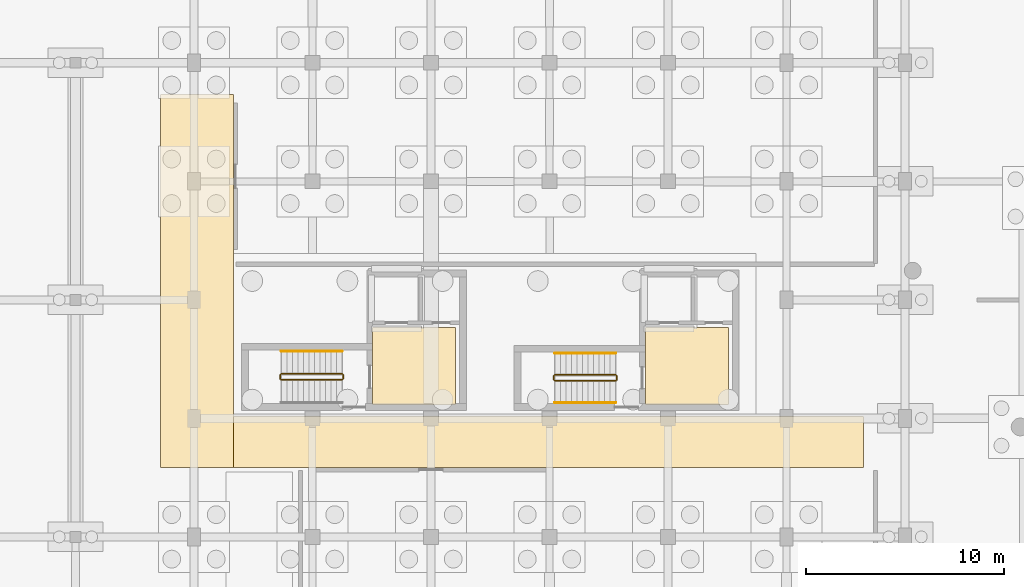
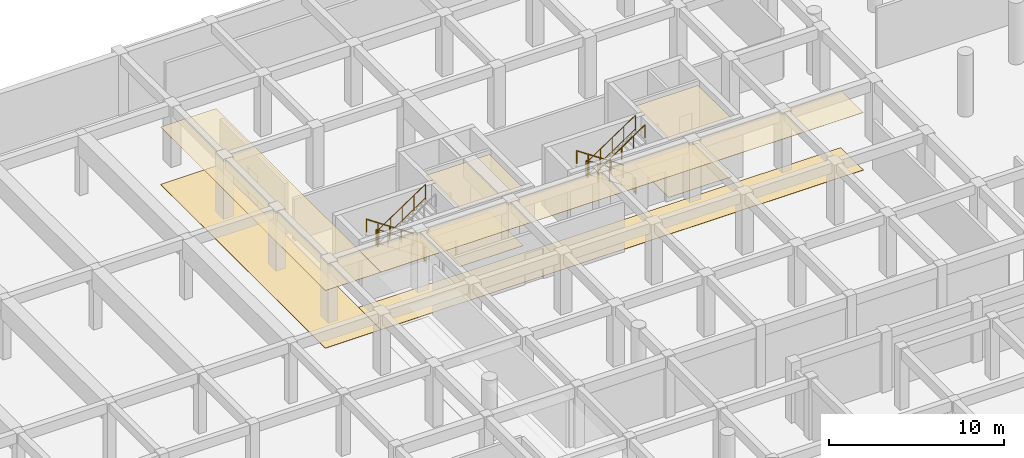
# One storey, part 39 of 41: 11 railings, 8 coverings.
"""IFC4 building model written with IfcOpenShell, lengths in metres."""

import ifcopenshell
import ifcopenshell.guid

model = None  # the IFC model being written
_history = None  # IfcOwnerHistory: only IFC2X3 demands one
_inside = {}  # id of a spatial element -> (the spatial element, [elements in it])
_under = {}  # id of a project, library or spatial element -> (it, [spatial elements below it])
_declared = {}  # id of a project -> (the project, [libraries it declares])
_typed = {}  # id of a type object -> (the type object, [elements of that type])
_made_of = {}  # id of a material, layer set ... -> (it, [elements and type objects made of it])


def new_model(schema):
    """Start an empty IFC model of exactly this schema.

    Asked for "IFC4X3", IfcOpenShell would pick the latest addendum, in which some entities
    have other attributes; the version numbers below select the first issue.
    IFC2X3 requires an IfcOwnerHistory on every rooted entity: one is made here for all.
    """
    global model, _history
    if schema == "IFC4X3":
        model = ifcopenshell.file(schema_version=(4, 3, 0, 0))
    else:
        model = ifcopenshell.file(schema=schema)
    _inside.clear()
    _under.clear()
    _declared.clear()
    _typed.clear()
    _made_of.clear()
    _history = None
    if model.schema == "IFC2X3":
        org = make("IfcOrganization", Name="unknown")
        user = make(
            "IfcPersonAndOrganization",
            ThePerson=make("IfcPerson", FamilyName="unknown"),
            TheOrganization=org,
        )
        app = make(
            "IfcApplication",
            ApplicationDeveloper=org,
            Version="unknown",
            ApplicationFullName="unknown",
            ApplicationIdentifier="unknown",
        )
        _history = make(
            "IfcOwnerHistory",
            OwningUser=user,
            OwningApplication=app,
            ChangeAction="ADDED",
            CreationDate=0,
        )
    return model


def make(cls, **values):
    """One entity of the class cls with the attributes given. An attribute that is None is left unset."""
    return model.create_entity(
        cls, **{name: value for name, value in values.items() if value is not None}
    )


def rooted(cls, **values):
    """An entity with a GlobalId (a new one), such as an element, a storey or a relation."""
    return make(cls, GlobalId=ifcopenshell.guid.new(), OwnerHistory=_history, **values)


def si_unit(unit_type, name, prefix=None):
    """IfcSIUnit, for example si_unit("LENGTHUNIT", "METRE", prefix="MILLI")."""
    return make("IfcSIUnit", UnitType=unit_type, Prefix=prefix, Name=name)


def assignment(units):
    """IfcUnitAssignment: the units of a project."""
    return None if units is None else make("IfcUnitAssignment", Units=units)


def point(xyz):
    """IfcCartesianPoint."""
    return None if xyz is None else make("IfcCartesianPoint", Coordinates=xyz)


def direction(xyz):
    """IfcDirection."""
    return None if xyz is None else make("IfcDirection", DirectionRatios=xyz)


def frame(location, z_axis=None, x_axis=None):
    """IfcAxis2Placement3D, a coordinate frame: its origin and axes. An axis left out is left unset."""
    return make(
        "IfcAxis2Placement3D",
        Location=point(location),
        Axis=direction(z_axis),
        RefDirection=direction(x_axis),
    )


def frame_2d(location, x_axis=None):
    """IfcAxis2Placement2D, a coordinate frame in the plane: its origin and x axis."""
    return make(
        "IfcAxis2Placement2D", Location=point(location), RefDirection=direction(x_axis)
    )


def origin():
    """The frame at (0, 0, 0) with its axes left unset."""
    return frame((0.0, 0.0, 0.0))


def origin_2d():
    """The frame at (0, 0) in the plane with its x axis left unset."""
    return frame_2d((0.0, 0.0))


def place(relative_to, where):
    """IfcLocalPlacement: puts the frame where relative to a parent placement (None: the world)."""
    return make(
        "IfcLocalPlacement", PlacementRelTo=relative_to, RelativePlacement=where
    )


def context(
    kind, dimensions, precision=None, world=None, true_north=None, identifier=None
):
    """IfcGeometricRepresentationContext, for example the 3D "Model" context."""
    return make(
        "IfcGeometricRepresentationContext",
        ContextIdentifier=identifier,
        ContextType=kind,
        CoordinateSpaceDimension=dimensions,
        Precision=precision,
        WorldCoordinateSystem=world,
        TrueNorth=true_north,
    )


def subcontext(parent, identifier, kind, view, scale=None):
    """IfcGeometricRepresentationSubContext, for example "Body" below "Model"."""
    return make(
        "IfcGeometricRepresentationSubContext",
        ContextIdentifier=identifier,
        ContextType=kind,
        ParentContext=parent,
        TargetScale=scale,
        TargetView=view,
    )


def project(units=None, contexts=None):
    """IfcProject with its units and contexts."""
    return rooted(
        "IfcProject",
        Name="project",
        RepresentationContexts=contexts,
        UnitsInContext=assignment(units),
    )


def spatial(cls, under=None, at=None, **own):
    """A site, building, storey or space (cls), placed at a placement, below another one or the project."""
    s = rooted(cls, ObjectPlacement=at, **own)
    if under is not None:
        _under.setdefault(under.id(), (under, []))[1].append(s)
    return s


def polyline(points):
    """IfcPolyline through the points."""
    return make("IfcPolyline", Points=[point(p) for p in points])


def profile(cls, at=None, kind="AREA", **sizes):
    """A parametric profile (cls). Its sizes go by their IFC names, for example OverallWidth=200.0."""
    return make(cls, ProfileType=kind, Position=at, **sizes)


def circle(**sizes):
    """IfcCircleProfileDef."""
    return profile("IfcCircleProfileDef", **sizes)


def outline(outer, holes=None, kind="AREA"):
    """IfcArbitraryClosedProfileDef: a profile drawn as a closed curve; with holes, ...WithVoids."""
    if holes is None:
        return make("IfcArbitraryClosedProfileDef", ProfileType=kind, OuterCurve=outer)
    return make(
        "IfcArbitraryProfileDefWithVoids",
        ProfileType=kind,
        OuterCurve=outer,
        InnerCurves=holes,
    )


def extrude(swept, where, along, depth):
    """IfcExtrudedAreaSolid: the profile swept, set in the frame where, extruded along a direction by depth."""
    return make(
        "IfcExtrudedAreaSolid",
        SweptArea=swept,
        Position=where,
        ExtrudedDirection=direction(along),
        Depth=depth,
    )


def shape(context_of_items, identifier, shape_type, items):
    """IfcShapeRepresentation: the items that make up one representation, for example the "Body"."""
    return make(
        "IfcShapeRepresentation",
        ContextOfItems=context_of_items,
        RepresentationIdentifier=identifier,
        RepresentationType=shape_type,
        Items=items,
    )


def material(Name=None, Category=None):
    """IfcMaterial."""
    return make("IfcMaterial", Name=Name, Category=Category)


def layer(
    of_material, thickness, ventilated=None, Name=None, Category=None, Priority=None
):
    """IfcMaterialLayer: one layer of a wall or slab, of a material (None: an air gap)."""
    return make(
        "IfcMaterialLayer",
        Material=of_material,
        LayerThickness=thickness,
        IsVentilated=ventilated,
        Name=Name,
        Category=Category,
        Priority=Priority,
    )


def layer_set(layers, Name=None):
    """IfcMaterialLayerSet."""
    return make("IfcMaterialLayerSet", MaterialLayers=layers, LayerSetName=Name)


def made_of(thing, what):
    """Note that an element or type object is made of a material, layer set ...; save() writes the relation."""
    if what is not None:
        _made_of.setdefault(what.id(), (what, []))[1].append(thing)
    return thing


def type_object(cls, material=None, **own):
    """A type object (cls), such as IfcWallType, which elements share."""
    return made_of(rooted(cls, **own), material)


def element(
    cls,
    number,
    at=None,
    inside=None,
    cuts=None,
    type_object=None,
    material=None,
    context=None,
    identifier="Body",
    shape_type=None,
    held_by="IfcProductDefinitionShape",
    body=None,
    shapes=None,
    **own,
):
    """One element of the class cls, such as IfcWall. Its Tag is "e" and its number.

    at: its placement. inside: the storey or other place that contains it. cuts: it is an
    opening in that element (IfcRelVoidsElement). A single representation is given by context,
    identifier, shape_type and body (its items); several are given by shapes. held_by: the class
    of the entity that holds the representations. save() writes the other relations.
    """
    e = rooted(cls, Tag="e%d" % number, ObjectPlacement=at, **own)
    if body is not None:
        shapes = [shape(context, identifier, shape_type, body)]
    if shapes is not None:
        e.Representation = make(held_by, Representations=shapes)
    if inside is not None:
        _inside.setdefault(inside.id(), (inside, []))[1].append(e)
    if cuts is not None:
        rooted(
            "IfcRelVoidsElement", RelatingBuildingElement=cuts, RelatedOpeningElement=e
        )
    if type_object is not None:
        _typed.setdefault(type_object.id(), (type_object, []))[1].append(e)
    return made_of(e, material)


def aggregate(whole, parts):
    """IfcRelAggregates: a whole, such as a stair, and the parts it consists of."""
    return rooted("IfcRelAggregates", RelatingObject=whole, RelatedObjects=parts)


def save(model, path):
    """Write the relations noted so far, then the file.

    IfcRelAggregates (storeys below a building ...), IfcRelContainedInSpatialStructure (elements
    in a storey), IfcRelDefinesByType, IfcRelAssociatesMaterial and IfcRelDeclares: one each for
    every whole, place, type object, material and project.
    """
    for whole, parts in _under.values():
        aggregate(whole, parts)
    for where, things in _inside.values():
        rooted(
            "IfcRelContainedInSpatialStructure",
            RelatedElements=things,
            RelatingStructure=where,
        )
    for kind, things in _typed.values():
        rooted("IfcRelDefinesByType", RelatedObjects=things, RelatingType=kind)
    for what, things in _made_of.values():
        rooted("IfcRelAssociatesMaterial", RelatedObjects=things, RelatingMaterial=what)
    for by, libraries in _declared.values():
        rooted("IfcRelDeclares", RelatingContext=by, RelatedDefinitions=libraries)
    model.write(path)


model = new_model("IFC4")

# Units and contexts
model_context = context("Model", 3, precision=1e-05, world=origin(), true_north=direction((0.0, 1.0)))
body_context = subcontext(model_context, "Body", "Model", "MODEL_VIEW")
ifc_project = project(units=[si_unit("LENGTHUNIT", "METRE"), si_unit("AREAUNIT", "SQUARE_METRE"), si_unit("VOLUMEUNIT", "CUBIC_METRE"), si_unit("PLANEANGLEUNIT", "RADIAN"), si_unit("MASSUNIT", "GRAM", prefix="KILO"), si_unit("POWERUNIT", "WATT"), si_unit("THERMODYNAMICTEMPERATUREUNIT", "KELVIN")], contexts=[model_context])

# Site, building, storey
site_placement = place(None, origin())
site = spatial("IfcSite", under=ifc_project, at=site_placement, CompositionType="ELEMENT")
building_placement = place(site_placement, origin())
building = spatial("IfcBuilding", under=site, at=building_placement, Name="Ruvembo Vaulted Housing Court", CompositionType="ELEMENT")
storey_placement = place(building_placement, frame((0.0, 0.0, -4.5)))
storey = spatial("IfcBuildingStorey", under=building, at=storey_placement, Name="B1", CompositionType="ELEMENT", Elevation=-4.5)

# Coverings
ifc_material_1 = material(Name="Perforated Mineral-Fibre Acoustic Tile", Category="gypsum")
ifc_layer_1 = layer(ifc_material_1, 0.02001953125, Name="Perforated Mineral-Fibre Acoustic Tile")
ifc_layer_set_1 = layer_set([ifc_layer_1], Name="Perforated Mineral-Fibre Acoustic Tile")
covering_type_1 = type_object("IfcCoveringType", Name="COV-CEIL-ACOUST", PredefinedType="CEILING", material=ifc_layer_set_1)
covering_1_placement = place(storey_placement, frame((0.0, 0.0, 4.02001953125)))
element("IfcCovering", 1, at=covering_1_placement, inside=storey, type_object=covering_type_1, Name="Protected Core Lobby B1 Ceiling", PredefinedType="CEILING", context=body_context, shape_type="SweptSolid", body=[
    extrude(outline(polyline([(61.25, 94.60009765625), (57.050048828125, 94.60009765625), (57.050048828125, 90.699951171875), (61.25, 90.699951171875), (61.25, 94.60009765625)])), origin(), (0.0, 0.0, 1.0), 0.02001953125),
])
covering_2_placement = place(storey_placement, frame((0.0, 0.0, 4.02001953125)))
element("IfcCovering", 2, at=covering_2_placement, inside=storey, type_object=covering_type_1, Name="Protected Core Lobby B2 Ceiling", PredefinedType="CEILING", context=body_context, shape_type="SweptSolid", body=[
    extrude(outline(polyline([(75.050048828125, 94.60009765625), (70.85009765625, 94.60009765625), (70.85009765625, 90.699951171875), (75.050048828125, 90.699951171875), (75.050048828125, 94.60009765625)])), origin(), (0.0, 0.0, 1.0), 0.02001953125),
])
covering_3_placement = place(storey_placement, frame((0.0, 0.0, 4.02001953125)))
element("IfcCovering", 3, at=covering_3_placement, inside=storey, type_object=covering_type_1, Name="Basement Block B Core Corridor Ceiling", PredefinedType="CEILING", context=body_context, shape_type="SweptSolid", body=[
    extrude(outline(polyline([(46.31005859375, 87.510009765625), (81.889892578125, 87.510009765625), (81.889892578125, 90.090087890625), (46.31005859375, 90.090087890625), (46.31005859375, 87.510009765625)])), origin(), (0.0, 0.0, 1.0), 0.02001953125),
])
covering_4_placement = place(storey_placement, frame((0.0, 0.0, 4.02001953125)))
element("IfcCovering", 4, at=covering_4_placement, inside=storey, type_object=covering_type_1, Name="Basement Block B North Plant Passage Ceiling", PredefinedType="CEILING", context=body_context, shape_type="SweptSolid", body=[
    extrude(outline(polyline([(49.989990234375, 87.510009765625), (49.989990234375, 106.389892578125), (46.31005859375, 106.389892578125), (46.31005859375, 87.510009765625), (49.989990234375, 87.510009765625)])), origin(), (0.0, 0.0, 1.0), 0.02001953125),
])
ifc_material_2 = material(Name="Polished Cement-Aggregate Terrazzo", Category="stone")
ifc_layer_2 = layer(ifc_material_2, 0.02197265625, Name="Polished Cement-Aggregate Terrazzo")
ifc_layer_set_2 = layer_set([ifc_layer_2], Name="Polished Cement-Aggregate Terrazzo")
covering_type_2 = type_object("IfcCoveringType", Name="COV-FLR-CERAMIC", PredefinedType="FLOORING", material=ifc_layer_set_2)
covering_5_placement = place(storey_placement, origin())
element("IfcCovering", 5, at=covering_5_placement, inside=storey, type_object=covering_type_2, Name="Protected Core Lobby B1 Flooring", PredefinedType="FLOORING", context=body_context, shape_type="SweptSolid", body=[
    extrude(outline(polyline([(61.25, 94.60009765625), (57.050048828125, 94.60009765625), (57.050048828125, 90.699951171875), (61.25, 90.699951171875), (61.25, 94.60009765625)])), origin(), (0.0, 0.0, 1.0), 0.02197265625),
])
covering_6_placement = place(storey_placement, origin())
element("IfcCovering", 6, at=covering_6_placement, inside=storey, type_object=covering_type_2, Name="Protected Core Lobby B2 Flooring", PredefinedType="FLOORING", context=body_context, shape_type="SweptSolid", body=[
    extrude(outline(polyline([(75.050048828125, 94.60009765625), (70.85009765625, 94.60009765625), (70.85009765625, 90.699951171875), (75.050048828125, 90.699951171875), (75.050048828125, 94.60009765625)])), origin(), (0.0, 0.0, 1.0), 0.02197265625),
])
covering_7_placement = place(storey_placement, origin())
element("IfcCovering", 7, at=covering_7_placement, inside=storey, type_object=covering_type_2, Name="Basement Block B Core Corridor Flooring", PredefinedType="FLOORING", context=body_context, shape_type="SweptSolid", body=[
    extrude(outline(polyline([(46.31005859375, 87.510009765625), (81.889892578125, 87.510009765625), (81.889892578125, 90.090087890625), (46.31005859375, 90.090087890625), (46.31005859375, 87.510009765625)])), origin(), (0.0, 0.0, 1.0), 0.02197265625),
])
covering_8_placement = place(storey_placement, origin())
element("IfcCovering", 8, at=covering_8_placement, inside=storey, type_object=covering_type_2, Name="Basement Block B North Plant Passage Flooring", PredefinedType="FLOORING", context=body_context, shape_type="SweptSolid", body=[
    extrude(outline(polyline([(49.989990234375, 87.510009765625), (49.989990234375, 106.389892578125), (46.31005859375, 106.389892578125), (46.31005859375, 87.510009765625), (49.989990234375, 87.510009765625)])), origin(), (0.0, 0.0, 1.0), 0.02197265625),
])

# Railings
ifc_material_3 = material(Name="Painted Galvanised Steel S275", Category="steel")
ifc_layer_3 = layer(ifc_material_3, 0.06005859375, Name="Painted Galvanised Steel S275")
ifc_layer_set_3 = layer_set([ifc_layer_3], Name="Painted Galvanised Steel S275")
railing_type_1 = type_object("IfcRailingType", Name="RL-STAIR-GR1100", PredefinedType="GUARDRAIL", material=ifc_layer_set_3)
railing_1_placement = place(storey_placement, frame((55.5, 92.25, 0.1875)))
element("IfcRailing", 9, at=railing_1_placement, inside=storey, type_object=railing_type_1, Name="B1 ST-B1 stair guard 1", PredefinedType="GUARDRAIL", context=body_context, shape_type="SweptSolid", body=[
    extrude(circle(Radius=0.02392578125, at=origin_2d()), frame((0.0, 0.0, 1.076171875), z_axis=(-0.830913701846, 0.0, 0.55640131208), x_axis=(0.0, -1.0, 0.0)), (0.0, 0.0, 1.0), 3.706787109375),
    extrude(circle(Radius=0.01806640625, at=origin_2d()), frame((0.0, 0.0, 0.1201171875), z_axis=(-0.830913701846, 0.0, 0.55640131208), x_axis=(0.0, -1.0, 0.0)), (0.0, 0.0, 1.0), 3.706787109375),
    extrude(circle(Radius=0.02099609375, at=origin_2d()), origin(), (0.0, 0.0, 1.0), 1.052001953125),
    extrude(circle(Radius=0.02099609375, at=origin_2d()), frame((-0.77001953125, 0.0, 0.515625)), (0.0, 0.0, 1.0), 1.052001953125),
    extrude(circle(Radius=0.02099609375, at=origin_2d()), frame((-1.5400390625, 0.0, 1.03125)), (0.0, 0.0, 1.0), 1.052001953125),
    extrude(circle(Radius=0.02099609375, at=origin_2d()), frame((-2.31005859375, 0.0, 1.546875)), (0.0, 0.0, 1.0), 1.052001953125),
    extrude(circle(Radius=0.02099609375, at=origin_2d()), frame((-3.080078125, 0.0, 2.0625)), (0.0, 0.0, 1.0), 1.052001953125),
])
railing_2_placement = place(storey_placement, frame((52.3701171875, 92.199951171875, 2.25)))
element("IfcRailing", 10, at=railing_2_placement, inside=storey, type_object=railing_type_1, Name="B1 ST-B1 stair guard 2", PredefinedType="GUARDRAIL", context=body_context, shape_type="SweptSolid", body=[
    extrude(circle(Radius=0.02392578125, at=origin_2d()), frame((0.0, 0.0, 1.076171875), z_axis=(0.0, -1.0, 0.0), x_axis=(1.0, 0.0, 0.0)), (0.0, 0.0, 1.0), 0.199951171875),
    extrude(circle(Radius=0.01806640625, at=origin_2d()), frame((0.0, 0.0, 0.1201171875), z_axis=(0.0, -1.0, 0.0), x_axis=(1.0, 0.0, 0.0)), (0.0, 0.0, 1.0), 0.199951171875),
    extrude(circle(Radius=0.02099609375, at=origin_2d()), origin(), (0.0, 0.0, 1.0), 1.052001953125),
    extrude(circle(Radius=0.02099609375, at=origin_2d()), frame((0.0, -0.199951171875, 0.0)), (0.0, 0.0, 1.0), 1.052001953125),
])
railing_3_placement = place(storey_placement, frame((52.419921875, 91.949951171875, 2.4375)))
element("IfcRailing", 11, at=railing_3_placement, inside=storey, type_object=railing_type_1, Name="B1 ST-B1 stair guard 3", PredefinedType="GUARDRAIL", context=body_context, shape_type="SweptSolid", body=[
    extrude(circle(Radius=0.02392578125, at=origin_2d()), frame((0.0, 0.0, 1.076171875), z_axis=(0.830913701846, 0.0, 0.55640131208), x_axis=(0.0, 1.0, 0.0)), (0.0, 0.0, 1.0), 3.706787109375),
    extrude(circle(Radius=0.01806640625, at=origin_2d()), frame((0.0, 0.0, 0.1201171875), z_axis=(0.830913701846, 0.0, 0.55640131208), x_axis=(0.0, 1.0, 0.0)), (0.0, 0.0, 1.0), 3.706787109375),
    extrude(circle(Radius=0.02099609375, at=origin_2d()), origin(), (0.0, 0.0, 1.0), 1.052001953125),
    extrude(circle(Radius=0.02099609375, at=origin_2d()), frame((0.77001953125, 0.0, 0.515625)), (0.0, 0.0, 1.0), 1.052001953125),
    extrude(circle(Radius=0.02099609375, at=origin_2d()), frame((1.5400390625, 0.0, 1.03125)), (0.0, 0.0, 1.0), 1.052001953125),
    extrude(circle(Radius=0.02099609375, at=origin_2d()), frame((2.31005859375, 0.0, 1.546875)), (0.0, 0.0, 1.0), 1.052001953125),
    extrude(circle(Radius=0.02099609375, at=origin_2d()), frame((3.080078125, 0.0, 2.0625)), (0.0, 0.0, 1.0), 1.052001953125),
])
railing_4_placement = place(storey_placement, frame((55.550048828125, 92.199951171875, 0.0)))
element("IfcRailing", 12, at=railing_4_placement, inside=storey, type_object=railing_type_1, Name="B1 ST-B1 stair guard 4", PredefinedType="GUARDRAIL", context=body_context, shape_type="SweptSolid", body=[
    extrude(circle(Radius=0.02392578125, at=origin_2d()), frame((0.0, 0.0, 1.076171875), z_axis=(0.0, -1.0, 0.0), x_axis=(1.0, 0.0, 0.0)), (0.0, 0.0, 1.0), 0.199951171875),
    extrude(circle(Radius=0.01806640625, at=origin_2d()), frame((0.0, 0.0, 0.1201171875), z_axis=(0.0, -1.0, 0.0), x_axis=(1.0, 0.0, 0.0)), (0.0, 0.0, 1.0), 0.199951171875),
    extrude(circle(Radius=0.02099609375, at=origin_2d()), origin(), (0.0, 0.0, 1.0), 1.052001953125),
    extrude(circle(Radius=0.02099609375, at=origin_2d()), frame((0.0, -0.199951171875, 0.0)), (0.0, 0.0, 1.0), 1.052001953125),
])
railing_5_placement = place(storey_placement, frame((69.35009765625, 92.199951171875, 0.1875)))
element("IfcRailing", 13, at=railing_5_placement, inside=storey, type_object=railing_type_1, Name="B1 ST-B2 stair guard 1", PredefinedType="GUARDRAIL", context=body_context, shape_type="SweptSolid", body=[
    extrude(circle(Radius=0.02392578125, at=origin_2d()), frame((0.0, 0.0, 1.076171875), z_axis=(-0.830913701846, 0.0, 0.55640131208), x_axis=(0.0, -1.0, 0.0)), (0.0, 0.0, 1.0), 3.706787109375),
    extrude(circle(Radius=0.01806640625, at=origin_2d()), frame((0.0, 0.0, 0.1201171875), z_axis=(-0.830913701846, 0.0, 0.55640131208), x_axis=(0.0, -1.0, 0.0)), (0.0, 0.0, 1.0), 3.706787109375),
    extrude(circle(Radius=0.02099609375, at=origin_2d()), origin(), (0.0, 0.0, 1.0), 1.052001953125),
    extrude(circle(Radius=0.02099609375, at=origin_2d()), frame((-0.77001953125, 0.0, 0.515625)), (0.0, 0.0, 1.0), 1.052001953125),
    extrude(circle(Radius=0.02099609375, at=origin_2d()), frame((-1.5400390625, 0.0, 1.03125)), (0.0, 0.0, 1.0), 1.052001953125),
    extrude(circle(Radius=0.02099609375, at=origin_2d()), frame((-2.31005859375, 0.0, 1.546875)), (0.0, 0.0, 1.0), 1.052001953125),
    extrude(circle(Radius=0.02099609375, at=origin_2d()), frame((-3.080078125, 0.0, 2.0625)), (0.0, 0.0, 1.0), 1.052001953125),
])
railing_6_placement = place(storey_placement, frame((66.219970703125, 92.14990234375, 2.25)))
element("IfcRailing", 14, at=railing_6_placement, inside=storey, type_object=railing_type_1, Name="B1 ST-B2 stair guard 2", PredefinedType="GUARDRAIL", context=body_context, shape_type="SweptSolid", body=[
    extrude(circle(Radius=0.02392578125, at=origin_2d()), frame((0.0, 0.0, 1.076171875), z_axis=(0.0, -1.0, 0.0), x_axis=(1.0, 0.0, 0.0)), (0.0, 0.0, 1.0), 0.199951171875),
    extrude(circle(Radius=0.01806640625, at=origin_2d()), frame((0.0, 0.0, 0.1201171875), z_axis=(0.0, -1.0, 0.0), x_axis=(1.0, 0.0, 0.0)), (0.0, 0.0, 1.0), 0.199951171875),
    extrude(circle(Radius=0.02099609375, at=origin_2d()), origin(), (0.0, 0.0, 1.0), 1.052001953125),
    extrude(circle(Radius=0.02099609375, at=origin_2d()), frame((0.0, -0.199951171875, 0.0)), (0.0, 0.0, 1.0), 1.052001953125),
])
railing_7_placement = place(storey_placement, frame((66.27001953125, 91.89990234375, 2.4375)))
element("IfcRailing", 15, at=railing_7_placement, inside=storey, type_object=railing_type_1, Name="B1 ST-B2 stair guard 3", PredefinedType="GUARDRAIL", context=body_context, shape_type="SweptSolid", body=[
    extrude(circle(Radius=0.02392578125, at=origin_2d()), frame((0.0, 0.0, 1.076171875), z_axis=(0.830913701846, 0.0, 0.55640131208), x_axis=(0.0, 1.0, 0.0)), (0.0, 0.0, 1.0), 3.706787109375),
    extrude(circle(Radius=0.01806640625, at=origin_2d()), frame((0.0, 0.0, 0.1201171875), z_axis=(0.830913701846, 0.0, 0.55640131208), x_axis=(0.0, 1.0, 0.0)), (0.0, 0.0, 1.0), 3.706787109375),
    extrude(circle(Radius=0.02099609375, at=origin_2d()), origin(), (0.0, 0.0, 1.0), 1.052001953125),
    extrude(circle(Radius=0.02099609375, at=origin_2d()), frame((0.77001953125, 0.0, 0.515625)), (0.0, 0.0, 1.0), 1.052001953125),
    extrude(circle(Radius=0.02099609375, at=origin_2d()), frame((1.5400390625, 0.0, 1.03125)), (0.0, 0.0, 1.0), 1.052001953125),
    extrude(circle(Radius=0.02099609375, at=origin_2d()), frame((2.31005859375, 0.0, 1.546875)), (0.0, 0.0, 1.0), 1.052001953125),
    extrude(circle(Radius=0.02099609375, at=origin_2d()), frame((3.080078125, 0.0, 2.0625)), (0.0, 0.0, 1.0), 1.052001953125),
])
railing_8_placement = place(storey_placement, frame((69.39990234375, 92.14990234375, 0.0)))
element("IfcRailing", 16, at=railing_8_placement, inside=storey, type_object=railing_type_1, Name="B1 ST-B2 stair guard 4", PredefinedType="GUARDRAIL", context=body_context, shape_type="SweptSolid", body=[
    extrude(circle(Radius=0.02392578125, at=origin_2d()), frame((0.0, 0.0, 1.076171875), z_axis=(0.0, -1.0, 0.0), x_axis=(1.0, 0.0, 0.0)), (0.0, 0.0, 1.0), 0.199951171875),
    extrude(circle(Radius=0.01806640625, at=origin_2d()), frame((0.0, 0.0, 0.1201171875), z_axis=(0.0, -1.0, 0.0), x_axis=(1.0, 0.0, 0.0)), (0.0, 0.0, 1.0), 0.199951171875),
    extrude(circle(Radius=0.02099609375, at=origin_2d()), origin(), (0.0, 0.0, 1.0), 1.052001953125),
    extrude(circle(Radius=0.02099609375, at=origin_2d()), frame((0.0, -0.199951171875, 0.0)), (0.0, 0.0, 1.0), 1.052001953125),
])
ifc_material_4 = material(Name="Brushed Stainless Steel 304", Category="steel")
ifc_layer_4 = layer(ifc_material_4, 0.050048828125, Name="Brushed Stainless Steel 304")
ifc_layer_set_4 = layer_set([ifc_layer_4], Name="Brushed Stainless Steel 304")
railing_type_2 = type_object("IfcRailingType", Name="RL-STAIR-HR920", PredefinedType="HANDRAIL", material=ifc_layer_set_4)
for number, where, name in (
    (17, (55.5, 93.39990234375, 0.379150390625), "B1 ST-B1 stair handrail 1"),
    (18, (69.35009765625, 93.300048828125, 0.379150390625), "B1 ST-B2 stair handrail 1"),
):
    element("IfcRailing", number, at=place(storey_placement, frame(where)), inside=storey, type_object=railing_type_2, Name=name, PredefinedType="HANDRAIL", context=body_context, shape_type="SweptSolid", body=[
        extrude(circle(Radius=0.02392578125, at=origin_2d()), frame((0.0, 0.0, 0.8759765625), z_axis=(-0.830913701846, 0.0, 0.55640131208), x_axis=(0.0, -1.0, 0.0)), (0.0, 0.0, 1.0), 3.706787109375),
        extrude(circle(Radius=0.02099609375, at=origin_2d()), origin(), (0.0, 0.0, 1.0), 0.851806640625),
        extrude(circle(Radius=0.02099609375, at=origin_2d()), frame((-0.77001953125, 0.0, 0.515625)), (0.0, 0.0, 1.0), 0.851806640625),
        extrude(circle(Radius=0.02099609375, at=origin_2d()), frame((-1.5400390625, 0.0, 1.03125)), (0.0, 0.0, 1.0), 0.851806640625),
        extrude(circle(Radius=0.02099609375, at=origin_2d()), frame((-2.31005859375, 0.0, 1.546875)), (0.0, 0.0, 1.0), 0.851806640625),
        extrude(circle(Radius=0.02099609375, at=origin_2d()), frame((-3.080078125, 0.0, 2.0625)), (0.0, 0.0, 1.0), 0.851806640625),
    ])
railing_9_placement = place(storey_placement, frame((66.27001953125, 90.800048828125, 2.629150390625)))
element("IfcRailing", 19, at=railing_9_placement, inside=storey, type_object=railing_type_2, Name="B1 ST-B2 stair handrail 2", PredefinedType="HANDRAIL", context=body_context, shape_type="SweptSolid", body=[
    extrude(circle(Radius=0.02392578125, at=origin_2d()), frame((0.0, 0.0, 0.8759765625), z_axis=(0.830913701846, 0.0, 0.55640131208), x_axis=(0.0, 1.0, 0.0)), (0.0, 0.0, 1.0), 3.706787109375),
    extrude(circle(Radius=0.02099609375, at=origin_2d()), origin(), (0.0, 0.0, 1.0), 0.851806640625),
    extrude(circle(Radius=0.02099609375, at=origin_2d()), frame((0.77001953125, 0.0, 0.515625)), (0.0, 0.0, 1.0), 0.851806640625),
    extrude(circle(Radius=0.02099609375, at=origin_2d()), frame((1.5400390625, 0.0, 1.03125)), (0.0, 0.0, 1.0), 0.851806640625),
    extrude(circle(Radius=0.02099609375, at=origin_2d()), frame((2.31005859375, 0.0, 1.546875)), (0.0, 0.0, 1.0), 0.851806640625),
    extrude(circle(Radius=0.02099609375, at=origin_2d()), frame((3.080078125, 0.0, 2.0625)), (0.0, 0.0, 1.0), 0.851806640625),
])

save(model, "model.ifc")
